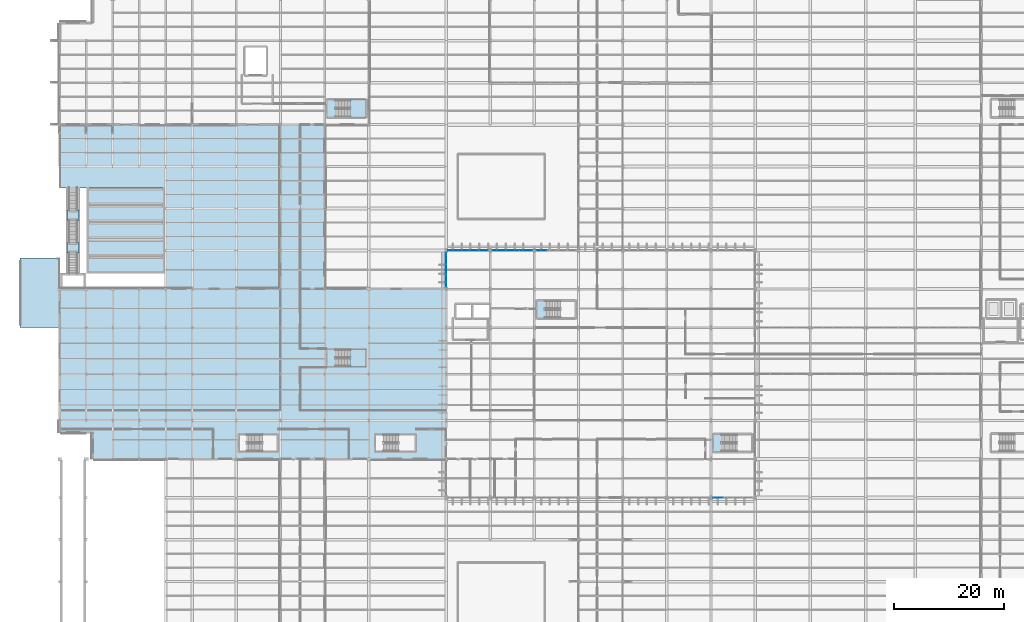
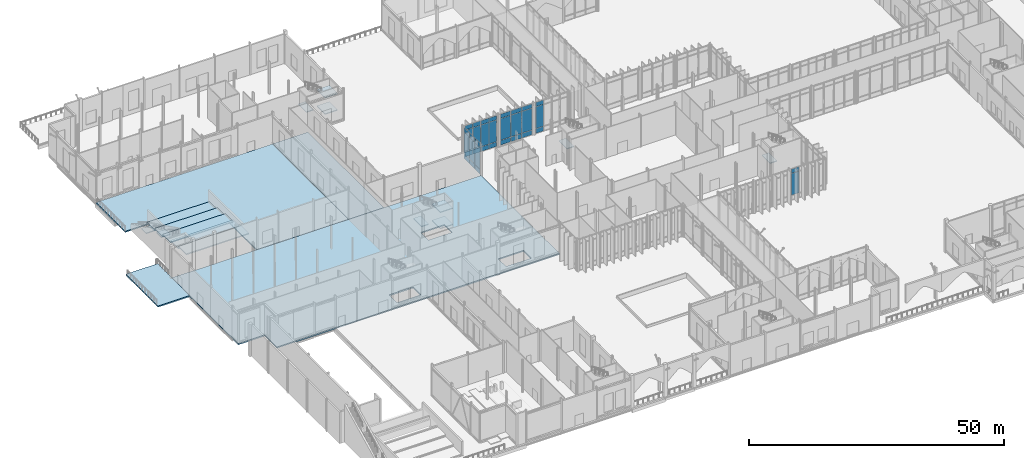
# One storey, part 119 of 176: 35 plates, 19 slabs, 10 elements without a shape of their own.
"""IFC4 building model written with IfcOpenShell, lengths in metres."""

from ifc_helpers import new_model, si_unit, direction, frame, origin, origin_2d, place, context, subcontext, project, spatial, polyline, rectangle, outline, extrude, material, layer, layer_set, type_object, element, aggregate, save


model = new_model("IFC4")

# Units and contexts
model_context = context("Model", 3, precision=1e-05, world=origin(), true_north=direction((0.0, 1.0)))
body_context = subcontext(model_context, "Body", "Model", "MODEL_VIEW")
ifc_project = project(units=[si_unit("LENGTHUNIT", "METRE"), si_unit("AREAUNIT", "SQUARE_METRE"), si_unit("VOLUMEUNIT", "CUBIC_METRE"), si_unit("PLANEANGLEUNIT", "RADIAN"), si_unit("MASSUNIT", "GRAM", prefix="KILO")], contexts=[model_context])

# Site, building, storey
site_placement = place(None, origin())
site = spatial("IfcSite", under=ifc_project, at=site_placement, CompositionType="ELEMENT")
building_placement = place(site_placement, origin())
building = spatial("IfcBuilding", under=site, at=building_placement, Name="Vekula Escarpment Museum", CompositionType="ELEMENT")
storey_placement = place(building_placement, origin())
storey = spatial("IfcBuildingStorey", under=building, at=storey_placement, Name="L01", CompositionType="ELEMENT", Elevation=0.0)

# Curtain wall, plates
ifc_material_1 = material(Name="Aluminium thermally broken framing", Category="aluminium")
ifc_layer_1 = layer(ifc_material_1, 0.169921875)
ifc_layer_set_1 = layer_set([ifc_layer_1], Name="Aluminium thermally broken framing")
curtain_wall_type_1 = type_object("IfcCurtainWallType", Name="CW-SYS-10", PredefinedType="NOTDEFINED", material=ifc_layer_set_1)
curtain_wall_1_placement = place(storey_placement, origin())
curtain_wall_1 = element("IfcCurtainWall", 1, at=curtain_wall_1_placement, inside=storey, type_object=curtain_wall_type_1, Name="Curtain Wall CW-L01-040", PredefinedType="NOTDEFINED")
ifc_material_2 = material(Name="Double solar-control low-E glass", Category="glass")
ifc_layer_2 = layer(ifc_material_2, 0.028076171875)
ifc_layer_set_2 = layer_set([ifc_layer_2], Name="Double solar-control low-E glass")
plate_type_1 = type_object("IfcPlateType", Name="CW-PNL-28", PredefinedType="CURTAIN_PANEL", material=ifc_layer_set_2)
plate_1_placement = place(storey_placement, frame((84.410400390625, 90.39990234375, 0.06494140625), z_axis=(0.0, 0.0, 1.0), x_axis=(-1.0, 0.0, 0.0)))
plate_1 = element("IfcPlate", 2, at=plate_1_placement, type_object=plate_type_1, Name="CW-10 panel 1.1", PredefinedType="CURTAIN_PANEL", context=body_context, shape_type="SweptSolid", body=[
    extrude(rectangle(XDim=2.3291015625, YDim=0.028076171875, at=origin_2d()), origin(), (0.0, 0.0, 1.0), 1.1025390625),
])
plate_2_placement = place(storey_placement, frame((84.410400390625, 90.39990234375, 1.232421875), z_axis=(0.0, 0.0, 1.0), x_axis=(-1.0, 0.0, 0.0)))
plate_2 = element("IfcPlate", 3, at=plate_2_placement, type_object=plate_type_1, Name="CW-10 panel 1.2", PredefinedType="CURTAIN_PANEL", context=body_context, shape_type="SweptSolid", body=[
    extrude(rectangle(XDim=2.3291015625, YDim=0.028076171875, at=origin_2d()), origin(), (0.0, 0.0, 1.0), 5.175048828125),
])
plate_3_placement = place(storey_placement, frame((84.410400390625, 90.39990234375, 6.472412109375), z_axis=(0.0, 0.0, 1.0), x_axis=(-1.0, 0.0, 0.0)))
plate_3 = element("IfcPlate", 4, at=plate_3_placement, type_object=plate_type_1, Name="CW-10 panel 1.3", PredefinedType="CURTAIN_PANEL", context=body_context, shape_type="SweptSolid", body=[
    extrude(rectangle(XDim=2.3291015625, YDim=0.028076171875, at=origin_2d()), origin(), (0.0, 0.0, 1.0), 1.00244140625),
])
plate_4_placement = place(storey_placement, frame((82.0, 90.39990234375, 0.06494140625), z_axis=(0.0, 0.0, 1.0), x_axis=(-1.0, 0.0, 0.0)))
plate_4 = element("IfcPlate", 5, at=plate_4_placement, type_object=plate_type_1, Name="CW-10 panel 2.1", PredefinedType="CURTAIN_PANEL", context=body_context, shape_type="SweptSolid", body=[
    extrude(rectangle(XDim=2.361572265625, YDim=0.028076171875, at=origin_2d()), origin(), (0.0, 0.0, 1.0), 1.1025390625),
])
plate_5_placement = place(storey_placement, frame((82.0, 90.39990234375, 1.232421875), z_axis=(0.0, 0.0, 1.0), x_axis=(-1.0, 0.0, 0.0)))
plate_5 = element("IfcPlate", 6, at=plate_5_placement, type_object=plate_type_1, Name="CW-10 panel 2.2", PredefinedType="CURTAIN_PANEL", context=body_context, shape_type="SweptSolid", body=[
    extrude(rectangle(XDim=2.361572265625, YDim=0.028076171875, at=origin_2d()), origin(), (0.0, 0.0, 1.0), 5.175048828125),
])
plate_6_placement = place(storey_placement, frame((82.0, 90.39990234375, 6.472412109375), z_axis=(0.0, 0.0, 1.0), x_axis=(-1.0, 0.0, 0.0)))
plate_6 = element("IfcPlate", 7, at=plate_6_placement, type_object=plate_type_1, Name="CW-10 panel 2.3", PredefinedType="CURTAIN_PANEL", context=body_context, shape_type="SweptSolid", body=[
    extrude(rectangle(XDim=2.361572265625, YDim=0.028076171875, at=origin_2d()), origin(), (0.0, 0.0, 1.0), 1.00244140625),
])
plate_7_placement = place(storey_placement, frame((79.589599609375, 90.39990234375, 0.06494140625), z_axis=(0.0, 0.0, 1.0), x_axis=(-1.0, 0.0, 0.0)))
plate_7 = element("IfcPlate", 8, at=plate_7_placement, type_object=plate_type_1, Name="CW-10 panel 3.1", PredefinedType="CURTAIN_PANEL", context=body_context, shape_type="SweptSolid", body=[
    extrude(rectangle(XDim=2.3291015625, YDim=0.028076171875, at=origin_2d()), origin(), (0.0, 0.0, 1.0), 1.1025390625),
])
plate_8_placement = place(storey_placement, frame((79.589599609375, 90.39990234375, 1.232421875), z_axis=(0.0, 0.0, 1.0), x_axis=(-1.0, 0.0, 0.0)))
plate_8 = element("IfcPlate", 9, at=plate_8_placement, type_object=plate_type_1, Name="CW-10 panel 3.2", PredefinedType="CURTAIN_PANEL", context=body_context, shape_type="SweptSolid", body=[
    extrude(rectangle(XDim=2.3291015625, YDim=0.028076171875, at=origin_2d()), origin(), (0.0, 0.0, 1.0), 5.175048828125),
])
plate_9_placement = place(storey_placement, frame((79.589599609375, 90.39990234375, 6.472412109375), z_axis=(0.0, 0.0, 1.0), x_axis=(-1.0, 0.0, 0.0)))
plate_9 = element("IfcPlate", 10, at=plate_9_placement, type_object=plate_type_1, Name="CW-10 panel 3.3", PredefinedType="CURTAIN_PANEL", context=body_context, shape_type="SweptSolid", body=[
    extrude(rectangle(XDim=2.3291015625, YDim=0.028076171875, at=origin_2d()), origin(), (0.0, 0.0, 1.0), 1.00244140625),
])
aggregate(curtain_wall_1, [plate_1, plate_2, plate_3, plate_4, plate_5, plate_6, plate_7, plate_8, plate_9])

ifc_material_3 = material(Name="Aluminium thermally broken framing", Category="aluminium")
ifc_layer_3 = layer(ifc_material_3, 0.14990234375)
ifc_layer_set_3 = layer_set([ifc_layer_3], Name="Aluminium thermally broken framing")
curtain_wall_type_2 = type_object("IfcCurtainWallType", Name="CW-SYS-09", PredefinedType="NOTDEFINED", material=ifc_layer_set_3)
curtain_wall_2_placement = place(storey_placement, origin())
curtain_wall_2 = element("IfcCurtainWall", 11, at=curtain_wall_2_placement, inside=storey, type_object=curtain_wall_type_2, Name="Curtain Wall CW-L01-009", PredefinedType="NOTDEFINED")
ifc_material_4 = material(Name="Acoustic laminated double low-E glass", Category="glass")
ifc_layer_4 = layer(ifc_material_4, 0.031982421875)
ifc_layer_set_4 = layer_set([ifc_layer_4], Name="Acoustic laminated double low-E glass")
plate_type_2 = type_object("IfcPlateType", Name="CW-PNL-32", PredefinedType="CURTAIN_PANEL", material=ifc_layer_set_4)
plate_10_placement = place(storey_placement, frame((119.2861328125, 45.60009765625, 1.232421875), z_axis=(0.0, 0.0, 1.0), x_axis=(1.0, 0.0, 0.0)))
plate_10 = element("IfcPlate", 12, at=plate_10_placement, type_object=plate_type_2, Name="CW-09 panel 1.2", PredefinedType="CURTAIN_PANEL", context=body_context, shape_type="SweptSolid", body=[
    extrude(rectangle(XDim=1.722412109375, YDim=0.031982421875, at=origin_2d()), origin(), (0.0, 0.0, 1.0), 5.175048828125),
])
plate_11_placement = place(storey_placement, frame((119.2861328125, 45.60009765625, 6.472412109375), z_axis=(0.0, 0.0, 1.0), x_axis=(1.0, 0.0, 0.0)))
plate_11 = element("IfcPlate", 13, at=plate_11_placement, type_object=plate_type_2, Name="CW-09 panel 1.3", PredefinedType="CURTAIN_PANEL", context=body_context, shape_type="SweptSolid", body=[
    extrude(rectangle(XDim=1.722412109375, YDim=0.031982421875, at=origin_2d()), origin(), (0.0, 0.0, 1.0), 1.00244140625),
])
aggregate(curtain_wall_2, [plate_10, plate_11])

ifc_material_5 = material(Name="Aluminium thermally broken framing", Category="aluminium")
ifc_layer_5 = layer(ifc_material_5, 0.159912109375)
ifc_layer_set_5 = layer_set([ifc_layer_5], Name="Aluminium thermally broken framing")
curtain_wall_type_3 = type_object("IfcCurtainWallType", Name="CW-SYS-01", PredefinedType="NOTDEFINED", material=ifc_layer_set_5)
curtain_wall_3_placement = place(storey_placement, origin())
curtain_wall_3 = element("IfcCurtainWall", 14, at=curtain_wall_3_placement, inside=storey, type_object=curtain_wall_type_3, Name="Curtain Wall CW-L01-041", PredefinedType="NOTDEFINED")
plate_12_placement = place(storey_placement, frame((76.7138671875, 90.39990234375, 0.06494140625), z_axis=(0.0, 0.0, 1.0), x_axis=(-1.0, 0.0, 0.0)))
plate_12 = element("IfcPlate", 15, at=plate_12_placement, type_object=plate_type_2, Name="CW-01 panel 1.1", PredefinedType="CURTAIN_PANEL", context=body_context, shape_type="SweptSolid", body=[
    extrude(rectangle(XDim=1.722412109375, YDim=0.031982421875, at=origin_2d()), origin(), (0.0, 0.0, 1.0), 1.1025390625),
])
plate_13_placement = place(storey_placement, frame((76.7138671875, 90.39990234375, 1.232421875), z_axis=(0.0, 0.0, 1.0), x_axis=(-1.0, 0.0, 0.0)))
plate_13 = element("IfcPlate", 16, at=plate_13_placement, type_object=plate_type_2, Name="CW-01 panel 1.2", PredefinedType="CURTAIN_PANEL", context=body_context, shape_type="SweptSolid", body=[
    extrude(rectangle(XDim=1.722412109375, YDim=0.031982421875, at=origin_2d()), origin(), (0.0, 0.0, 1.0), 5.175048828125),
])
plate_14_placement = place(storey_placement, frame((76.7138671875, 90.39990234375, 6.472412109375), z_axis=(0.0, 0.0, 1.0), x_axis=(-1.0, 0.0, 0.0)))
plate_14 = element("IfcPlate", 17, at=plate_14_placement, type_object=plate_type_2, Name="CW-01 panel 1.3", PredefinedType="CURTAIN_PANEL", context=body_context, shape_type="SweptSolid", body=[
    extrude(rectangle(XDim=1.722412109375, YDim=0.031982421875, at=origin_2d()), origin(), (0.0, 0.0, 1.0), 1.00244140625),
])
plate_15_placement = place(storey_placement, frame((74.909912109375, 90.39990234375, 0.06494140625), z_axis=(0.0, 0.0, 1.0), x_axis=(-1.0, 0.0, 0.0)))
plate_15 = element("IfcPlate", 18, at=plate_15_placement, type_object=plate_type_2, Name="CW-01 panel 2.1", PredefinedType="CURTAIN_PANEL", context=body_context, shape_type="SweptSolid", body=[
    extrude(rectangle(XDim=1.7548828125, YDim=0.031982421875, at=origin_2d()), origin(), (0.0, 0.0, 1.0), 1.1025390625),
])
plate_16_placement = place(storey_placement, frame((74.909912109375, 90.39990234375, 1.232421875), z_axis=(0.0, 0.0, 1.0), x_axis=(-1.0, 0.0, 0.0)))
plate_16 = element("IfcPlate", 19, at=plate_16_placement, type_object=plate_type_2, Name="CW-01 panel 2.2", PredefinedType="CURTAIN_PANEL", context=body_context, shape_type="SweptSolid", body=[
    extrude(rectangle(XDim=1.7548828125, YDim=0.031982421875, at=origin_2d()), origin(), (0.0, 0.0, 1.0), 5.175048828125),
])
plate_17_placement = place(storey_placement, frame((74.909912109375, 90.39990234375, 6.472412109375), z_axis=(0.0, 0.0, 1.0), x_axis=(-1.0, 0.0, 0.0)))
plate_17 = element("IfcPlate", 20, at=plate_17_placement, type_object=plate_type_2, Name="CW-01 panel 2.3", PredefinedType="CURTAIN_PANEL", context=body_context, shape_type="SweptSolid", body=[
    extrude(rectangle(XDim=1.7548828125, YDim=0.031982421875, at=origin_2d()), origin(), (0.0, 0.0, 1.0), 1.00244140625),
])
plate_18_placement = place(storey_placement, frame((73.090087890625, 90.39990234375, 0.06494140625), z_axis=(0.0, 0.0, 1.0), x_axis=(-1.0, 0.0, 0.0)))
plate_18 = element("IfcPlate", 21, at=plate_18_placement, type_object=plate_type_2, Name="CW-01 panel 3.1", PredefinedType="CURTAIN_PANEL", context=body_context, shape_type="SweptSolid", body=[
    extrude(rectangle(XDim=1.7548828125, YDim=0.031982421875, at=origin_2d()), origin(), (0.0, 0.0, 1.0), 1.1025390625),
])
plate_19_placement = place(storey_placement, frame((73.090087890625, 90.39990234375, 1.232421875), z_axis=(0.0, 0.0, 1.0), x_axis=(-1.0, 0.0, 0.0)))
plate_19 = element("IfcPlate", 22, at=plate_19_placement, type_object=plate_type_2, Name="CW-01 panel 3.2", PredefinedType="CURTAIN_PANEL", context=body_context, shape_type="SweptSolid", body=[
    extrude(rectangle(XDim=1.7548828125, YDim=0.031982421875, at=origin_2d()), origin(), (0.0, 0.0, 1.0), 5.175048828125),
])
plate_20_placement = place(storey_placement, frame((73.090087890625, 90.39990234375, 6.472412109375), z_axis=(0.0, 0.0, 1.0), x_axis=(-1.0, 0.0, 0.0)))
plate_20 = element("IfcPlate", 23, at=plate_20_placement, type_object=plate_type_2, Name="CW-01 panel 3.3", PredefinedType="CURTAIN_PANEL", context=body_context, shape_type="SweptSolid", body=[
    extrude(rectangle(XDim=1.7548828125, YDim=0.031982421875, at=origin_2d()), origin(), (0.0, 0.0, 1.0), 1.00244140625),
])
plate_21_placement = place(storey_placement, frame((71.2861328125, 90.39990234375, 0.06494140625), z_axis=(0.0, 0.0, 1.0), x_axis=(-1.0, 0.0, 0.0)))
plate_21 = element("IfcPlate", 24, at=plate_21_placement, type_object=plate_type_2, Name="CW-01 panel 4.1", PredefinedType="CURTAIN_PANEL", context=body_context, shape_type="SweptSolid", body=[
    extrude(rectangle(XDim=1.722412109375, YDim=0.031982421875, at=origin_2d()), origin(), (0.0, 0.0, 1.0), 1.1025390625),
])
plate_22_placement = place(storey_placement, frame((71.2861328125, 90.39990234375, 1.232421875), z_axis=(0.0, 0.0, 1.0), x_axis=(-1.0, 0.0, 0.0)))
plate_22 = element("IfcPlate", 25, at=plate_22_placement, type_object=plate_type_2, Name="CW-01 panel 4.2", PredefinedType="CURTAIN_PANEL", context=body_context, shape_type="SweptSolid", body=[
    extrude(rectangle(XDim=1.722412109375, YDim=0.031982421875, at=origin_2d()), origin(), (0.0, 0.0, 1.0), 5.175048828125),
])
plate_23_placement = place(storey_placement, frame((71.2861328125, 90.39990234375, 6.472412109375), z_axis=(0.0, 0.0, 1.0), x_axis=(-1.0, 0.0, 0.0)))
plate_23 = element("IfcPlate", 26, at=plate_23_placement, type_object=plate_type_2, Name="CW-01 panel 4.3", PredefinedType="CURTAIN_PANEL", context=body_context, shape_type="SweptSolid", body=[
    extrude(rectangle(XDim=1.722412109375, YDim=0.031982421875, at=origin_2d()), origin(), (0.0, 0.0, 1.0), 1.00244140625),
])
aggregate(curtain_wall_3, [plate_12, plate_13, plate_14, plate_15, plate_16, plate_17, plate_18, plate_19, plate_20, plate_21, plate_22, plate_23])

ifc_material_6 = material(Name="Aluminium thermally broken framing", Category="aluminium")
ifc_layer_6 = layer(ifc_material_6, 0.159912109375)
ifc_layer_set_6 = layer_set([ifc_layer_6], Name="Aluminium thermally broken framing")
curtain_wall_type_4 = type_object("IfcCurtainWallType", Name="CW-SYS-02", PredefinedType="NOTDEFINED", material=ifc_layer_set_6)
curtain_wall_4_placement = place(storey_placement, origin())
curtain_wall_4 = element("IfcCurtainWall", 27, at=curtain_wall_4_placement, inside=storey, type_object=curtain_wall_type_4, Name="Curtain Wall CW-L01-042", PredefinedType="NOTDEFINED")
ifc_material_7 = material(Name="Triple UV-filtered museum gallery glass", Category="glass")
ifc_layer_7 = layer(ifc_material_7, 0.035888671875)
ifc_layer_set_7 = layer_set([ifc_layer_7], Name="Triple UV-filtered museum gallery glass")
plate_type_3 = type_object("IfcPlateType", Name="CW-PNL-36", PredefinedType="CURTAIN_PANEL", material=ifc_layer_set_7)
plate_24_placement = place(storey_placement, frame((70.0, 88.97705078125, 0.06494140625), z_axis=(0.0, 0.0, 1.0), x_axis=(0.0, -1.0, 0.0)))
plate_24 = element("IfcPlate", 28, at=plate_24_placement, type_object=plate_type_3, Name="CW-02 panel 1.1", PredefinedType="CURTAIN_PANEL", context=body_context, shape_type="SweptSolid", body=[
    extrude(rectangle(XDim=1.995849609375, YDim=0.035888671875, at=origin_2d()), origin(), (0.0, 0.0, 1.0), 1.1025390625),
])
plate_25_placement = place(storey_placement, frame((70.0, 88.97705078125, 1.232421875), z_axis=(0.0, 0.0, 1.0), x_axis=(0.0, -1.0, 0.0)))
plate_25 = element("IfcPlate", 29, at=plate_25_placement, type_object=plate_type_3, Name="CW-02 panel 1.2", PredefinedType="CURTAIN_PANEL", context=body_context, shape_type="SweptSolid", body=[
    extrude(rectangle(XDim=1.995849609375, YDim=0.035888671875, at=origin_2d()), origin(), (0.0, 0.0, 1.0), 5.175048828125),
])
plate_26_placement = place(storey_placement, frame((70.0, 88.97705078125, 6.472412109375), z_axis=(0.0, 0.0, 1.0), x_axis=(0.0, -1.0, 0.0)))
plate_26 = element("IfcPlate", 30, at=plate_26_placement, type_object=plate_type_3, Name="CW-02 panel 1.3", PredefinedType="CURTAIN_PANEL", context=body_context, shape_type="SweptSolid", body=[
    extrude(rectangle(XDim=1.995849609375, YDim=0.035888671875, at=origin_2d()), origin(), (0.0, 0.0, 1.0), 1.00244140625),
])
plate_27_placement = place(storey_placement, frame((70.0, 86.89990234375, 0.06494140625), z_axis=(0.0, 0.0, 1.0), x_axis=(0.0, -1.0, 0.0)))
plate_27 = element("IfcPlate", 31, at=plate_27_placement, type_object=plate_type_3, Name="CW-02 panel 2.1", PredefinedType="CURTAIN_PANEL", context=body_context, shape_type="SweptSolid", body=[
    extrude(rectangle(XDim=2.0283203125, YDim=0.035888671875, at=origin_2d()), origin(), (0.0, 0.0, 1.0), 1.1025390625),
])
plate_28_placement = place(storey_placement, frame((70.0, 86.89990234375, 1.232421875), z_axis=(0.0, 0.0, 1.0), x_axis=(0.0, -1.0, 0.0)))
plate_28 = element("IfcPlate", 32, at=plate_28_placement, type_object=plate_type_3, Name="CW-02 panel 2.2", PredefinedType="CURTAIN_PANEL", context=body_context, shape_type="SweptSolid", body=[
    extrude(rectangle(XDim=2.0283203125, YDim=0.035888671875, at=origin_2d()), origin(), (0.0, 0.0, 1.0), 5.175048828125),
])
plate_29_placement = place(storey_placement, frame((70.0, 86.89990234375, 6.472412109375), z_axis=(0.0, 0.0, 1.0), x_axis=(0.0, -1.0, 0.0)))
plate_29 = element("IfcPlate", 33, at=plate_29_placement, type_object=plate_type_3, Name="CW-02 panel 2.3", PredefinedType="CURTAIN_PANEL", context=body_context, shape_type="SweptSolid", body=[
    extrude(rectangle(XDim=2.0283203125, YDim=0.035888671875, at=origin_2d()), origin(), (0.0, 0.0, 1.0), 1.00244140625),
])
plate_30_placement = place(storey_placement, frame((70.0, 84.822998046875, 0.06494140625), z_axis=(0.0, 0.0, 1.0), x_axis=(0.0, -1.0, 0.0)))
plate_30 = element("IfcPlate", 34, at=plate_30_placement, type_object=plate_type_3, Name="CW-02 panel 3.1", PredefinedType="CURTAIN_PANEL", context=body_context, shape_type="SweptSolid", body=[
    extrude(rectangle(XDim=1.995849609375, YDim=0.035888671875, at=origin_2d()), origin(), (0.0, 0.0, 1.0), 1.1025390625),
])
plate_31_placement = place(storey_placement, frame((70.0, 84.822998046875, 1.232421875), z_axis=(0.0, 0.0, 1.0), x_axis=(0.0, -1.0, 0.0)))
plate_31 = element("IfcPlate", 35, at=plate_31_placement, type_object=plate_type_3, Name="CW-02 panel 3.2", PredefinedType="CURTAIN_PANEL", context=body_context, shape_type="SweptSolid", body=[
    extrude(rectangle(XDim=1.995849609375, YDim=0.035888671875, at=origin_2d()), origin(), (0.0, 0.0, 1.0), 5.175048828125),
])
plate_32_placement = place(storey_placement, frame((70.0, 84.822998046875, 6.472412109375), z_axis=(0.0, 0.0, 1.0), x_axis=(0.0, -1.0, 0.0)))
plate_32 = element("IfcPlate", 36, at=plate_32_placement, type_object=plate_type_3, Name="CW-02 panel 3.3", PredefinedType="CURTAIN_PANEL", context=body_context, shape_type="SweptSolid", body=[
    extrude(rectangle(XDim=1.995849609375, YDim=0.035888671875, at=origin_2d()), origin(), (0.0, 0.0, 1.0), 1.00244140625),
])
aggregate(curtain_wall_4, [plate_24, plate_25, plate_26, plate_27, plate_28, plate_29, plate_30, plate_31, plate_32])

curtain_wall_5_placement = place(storey_placement, origin())
curtain_wall_5 = element("IfcCurtainWall", 37, at=curtain_wall_5_placement, inside=storey, type_object=curtain_wall_type_2, Name="Curtain Wall CW-L01-039", PredefinedType="NOTDEFINED")
ifc_material_8 = material(Name="Insulated bronze spandrel glass panel", Category="glass")
ifc_layer_8 = layer(ifc_material_8, 0.0400390625)
ifc_layer_set_8 = layer_set([ifc_layer_8], Name="Insulated bronze spandrel glass panel")
plate_type_4 = type_object("IfcPlateType", Name="CW-PNL-40", PredefinedType="CURTAIN_PANEL", material=ifc_layer_set_8)
plate_33_placement = place(storey_placement, frame((87.2861328125, 90.39990234375, 0.06494140625), z_axis=(0.0, 0.0, 1.0), x_axis=(-1.0, 0.0, 0.0)))
plate_33 = element("IfcPlate", 38, at=plate_33_placement, type_object=plate_type_4, Name="CW-09 panel 4.1", PredefinedType="CURTAIN_PANEL", context=body_context, shape_type="SweptSolid", body=[
    extrude(rectangle(XDim=1.722412109375, YDim=0.0400390625, at=origin_2d()), origin(), (0.0, 0.0, 1.0), 1.1025390625),
])
plate_34_placement = place(storey_placement, frame((87.2861328125, 90.39990234375, 1.232421875), z_axis=(0.0, 0.0, 1.0), x_axis=(-1.0, 0.0, 0.0)))
plate_34 = element("IfcPlate", 39, at=plate_34_placement, type_object=plate_type_4, Name="CW-09 panel 4.2", PredefinedType="CURTAIN_PANEL", context=body_context, shape_type="SweptSolid", body=[
    extrude(rectangle(XDim=1.722412109375, YDim=0.0400390625, at=origin_2d()), origin(), (0.0, 0.0, 1.0), 5.175048828125),
])
plate_35_placement = place(storey_placement, frame((87.2861328125, 90.39990234375, 6.472412109375), z_axis=(0.0, 0.0, 1.0), x_axis=(-1.0, 0.0, 0.0)))
plate_35 = element("IfcPlate", 40, at=plate_35_placement, type_object=plate_type_4, Name="CW-09 panel 4.3", PredefinedType="CURTAIN_PANEL", context=body_context, shape_type="SweptSolid", body=[
    extrude(rectangle(XDim=1.722412109375, YDim=0.0400390625, at=origin_2d()), origin(), (0.0, 0.0, 1.0), 1.00244140625),
])
aggregate(curtain_wall_5, [plate_33, plate_34, plate_35])

# Slabs
ifc_material_9 = material(Name="Precast concrete C40/50", Category="concrete")
ifc_layer_9 = layer(ifc_material_9, 0.25)
ifc_layer_set_9 = layer_set([ifc_layer_9], Name="Precast concrete C40/50")
slab_type_1 = type_object("IfcSlabType", Name="SL-AMP-SEAT", PredefinedType="FLOOR", material=ifc_layer_set_9)
slab_1_placement = place(storey_placement, frame((0.0, 0.0, 0.199951171875)))
element("IfcSlab", 41, at=slab_1_placement, inside=storey, type_object=slab_type_1, Name="Stepped Sandstone Plinth Ledge AMP-SEAT-06", PredefinedType="FLOOR", context=body_context, shape_type="SweptSolid", body=[
    extrude(outline(polyline([(4.89990234375, 98.64990234375), (19.10009765625, 98.64990234375), (19.10009765625, 101.75), (4.89990234375, 101.75), (4.89990234375, 98.64990234375)])), origin(), (0.0, 0.0, 1.0), 0.25),
])
slab_2_placement = place(storey_placement, frame((0.0, 0.0, 0.64990234375)))
element("IfcSlab", 42, at=slab_2_placement, inside=storey, type_object=slab_type_1, Name="Stepped Sandstone Plinth Ledge AMP-SEAT-07", PredefinedType="FLOOR", context=body_context, shape_type="SweptSolid", body=[
    extrude(outline(polyline([(4.89990234375, 95.550048828125), (19.10009765625, 95.550048828125), (19.10009765625, 98.6201171875), (4.89990234375, 98.6201171875), (4.89990234375, 95.550048828125)])), origin(), (0.0, 0.0, 1.0), 0.25),
])
slab_3_placement = place(storey_placement, frame((0.0, 0.0, 1.10009765625)))
element("IfcSlab", 43, at=slab_3_placement, inside=storey, type_object=slab_type_1, Name="Stepped Sandstone Plinth Ledge AMP-SEAT-08", PredefinedType="FLOOR", context=body_context, shape_type="SweptSolid", body=[
    extrude(outline(polyline([(4.89990234375, 92.449951171875), (19.10009765625, 92.449951171875), (19.10009765625, 95.52001953125), (4.89990234375, 95.52001953125), (4.89990234375, 92.449951171875)])), origin(), (0.0, 0.0, 1.0), 0.25),
])
slab_4_placement = place(storey_placement, frame((0.0, 0.0, 1.550048828125)))
element("IfcSlab", 44, at=slab_4_placement, inside=storey, type_object=slab_type_1, Name="Stepped Sandstone Plinth Ledge AMP-SEAT-09", PredefinedType="FLOOR", context=body_context, shape_type="SweptSolid", body=[
    extrude(outline(polyline([(4.89990234375, 89.35009765625), (19.10009765625, 89.35009765625), (19.10009765625, 92.419921875), (4.89990234375, 92.419921875), (4.89990234375, 89.35009765625)])), origin(), (0.0, 0.0, 1.0), 0.25),
])
slab_5_placement = place(storey_placement, frame((0.0, 0.0, 2.0)))
element("IfcSlab", 45, at=slab_5_placement, inside=storey, type_object=slab_type_1, Name="Stepped Sandstone Plinth Ledge AMP-SEAT-10", PredefinedType="FLOOR", context=body_context, shape_type="SweptSolid", body=[
    extrude(outline(polyline([(4.89990234375, 86.25), (19.10009765625, 86.25), (19.10009765625, 89.320068359375), (4.89990234375, 89.320068359375), (4.89990234375, 86.25)])), origin(), (0.0, 0.0, 1.0), 0.25),
])
ifc_material_10 = material(Name="Concrete C35/45", Category="concrete")
ifc_layer_10 = layer(ifc_material_10, 0.300048828125)
ifc_layer_set_10 = layer_set([ifc_layer_10], Name="Concrete C35/45")
slab_type_2 = type_object("IfcSlabType", Name="SL-FLR-300", PredefinedType="FLOOR", material=ifc_layer_set_10)
slab_6_placement = place(storey_placement, frame((0.0, 0.0, -0.300048828125)))
element("IfcSlab", 46, at=slab_6_placement, inside=storey, type_object=slab_type_2, Name="Floor Slab W-L01-V2-W", PredefinedType="FLOOR", context=body_context, shape_type="SweptSolid", body=[
    extrude(outline(polyline([(6.0, 52.60009765625), (70.0, 52.60009765625), (70.0, 83.39990234375), (0.0, 83.39990234375), (0.0, 57.39990234375), (6.0, 57.39990234375), (6.0, 52.60009765625)]), holes=[polyline([(58.679931640625, 54.0), (64.39990234375, 54.0), (64.39990234375, 57.0400390625), (58.679931640625, 57.0400390625), (58.679931640625, 54.0)]), polyline([(33.97998046875, 54.0), (39.39990234375, 54.0), (39.39990234375, 57.0400390625), (33.97998046875, 57.0400390625), (33.97998046875, 54.0)]), polyline([(49.97998046875, 69.39990234375), (55.39990234375, 69.39990234375), (55.39990234375, 72.43994140625), (49.97998046875, 72.43994140625), (49.97998046875, 69.39990234375)])]), origin(), (0.0, 0.0, 1.0), 0.300048828125),
])
ifc_material_11 = material(Name="Concrete C35/45", Category="concrete")
ifc_layer_11 = layer(ifc_material_11, 0.320068359375)
ifc_layer_set_11 = layer_set([ifc_layer_11], Name="Concrete C35/45")
slab_type_3 = type_object("IfcSlabType", Name="SL-FLR-320", PredefinedType="FLOOR", material=ifc_layer_set_11)
slab_7_placement = place(storey_placement, frame((0.0, 0.0, -0.320068359375)))
element("IfcSlab", 47, at=slab_7_placement, inside=storey, type_object=slab_type_3, Name="Floor Slab W-L01-V5-LNK", PredefinedType="FLOOR", context=body_context, shape_type="SweptSolid", body=[
    extrude(outline(polyline([(40.0, 83.39990234375), (48.0, 83.39990234375), (48.0, 113.199951171875), (40.0, 113.199951171875), (40.0, 83.39990234375)])), origin(), (0.0, 0.0, 1.0), 0.320068359375),
])

# Stair, slabs
ifc_material_12 = material(Name="Precast concrete C40/50", Category="concrete")
stair_type_1 = type_object("IfcStairType", Name="STR-AMP-165", PredefinedType="STRAIGHT_RUN_STAIR", material=ifc_material_12)
stair_1_placement = place(storey_placement, origin())
stair_1 = element("IfcStair", 48, at=stair_1_placement, inside=storey, type_object=stair_type_1, Name="North Escarpment Plinth Stair Tier 1 ST-AMP-N1", PredefinedType="STRAIGHT_RUN_STAIR")
ifc_material_13 = material(Name="Concrete C35/45", Category="concrete")
ifc_layer_12 = layer(ifc_material_13, 0.199951171875)
ifc_layer_set_12 = layer_set([ifc_layer_12], Name="Concrete C35/45")
slab_type_4 = type_object("IfcSlabType", Name="SL-LAND-200", PredefinedType="LANDING", material=ifc_layer_set_12)
slab_8_placement = place(storey_placement, frame((0.0, 0.0, 2.458984375)))
slab_8 = element("IfcSlab", 49, at=slab_8_placement, type_object=slab_type_4, Name="ST-AMP-N1 landing 1", PredefinedType="LANDING", context=body_context, shape_type="SweptSolid", body=[
    extrude(outline(polyline([(1.35009765625, 95.840087890625), (3.449951171875, 95.840087890625), (3.449951171875, 97.77001953125), (1.35009765625, 97.77001953125), (1.35009765625, 95.840087890625)])), origin(), (0.0, 0.0, 1.0), 0.2001953125),
])
slab_9_placement = place(storey_placement, frame((0.0, 0.0, 5.1181640625)))
slab_9 = element("IfcSlab", 50, at=slab_9_placement, type_object=slab_type_4, Name="ST-AMP-N1 landing 2", PredefinedType="LANDING", context=body_context, shape_type="SweptSolid", body=[
    extrude(outline(polyline([(1.35009765625, 89.929931640625), (3.449951171875, 89.929931640625), (3.449951171875, 91.860107421875), (1.35009765625, 91.860107421875), (1.35009765625, 89.929931640625)])), origin(), (0.0, 0.0, 1.0), 0.199951171875),
])
aggregate(stair_1, [slab_8, slab_9])

ifc_material_14 = material(Name="Concrete C35/45", Category="concrete")
stair_type_2 = type_object("IfcStairType", Name="STR-TYPE-142", PredefinedType="HALF_TURN_STAIR", material=ifc_material_14)
stair_2_placement = place(storey_placement, origin())
stair_2 = element("IfcStair", 51, at=stair_2_placement, inside=storey, type_object=stair_type_2, Name="L01 Archive and Lab Exit Stair ST-03", PredefinedType="HALF_TURN_STAIR")
slab_10_placement = place(storey_placement, frame((0.0, 0.0, 1.75)))
slab_10 = element("IfcSlab", 52, at=slab_10_placement, type_object=slab_type_4, Name="ST-03 landing 1", PredefinedType="LANDING", context=body_context, shape_type="SweptSolid", body=[
    extrude(outline(polyline([(52.6298828125, 114.510009765625), (55.489990234375, 114.510009765625), (55.489990234375, 117.72998046875), (52.6298828125, 117.72998046875), (52.6298828125, 114.510009765625)])), origin(), (0.0, 0.0, 1.0), 0.199951171875),
])
slab_11_placement = place(storey_placement, frame((0.0, 0.0, 3.699951171875)))
slab_11 = element("IfcSlab", 53, at=slab_11_placement, type_object=slab_type_4, Name="ST-03 landing 2", PredefinedType="LANDING", context=body_context, shape_type="SweptSolid", body=[
    extrude(outline(polyline([(48.409912109375, 114.510009765625), (50.010009765625, 114.510009765625), (50.010009765625, 117.72998046875), (48.409912109375, 117.72998046875), (48.409912109375, 114.510009765625)])), origin(), (0.0, 0.0, 1.0), 0.199951171875),
])
slab_12_placement = place(storey_placement, frame((0.0, 0.0, 5.64990234375)))
slab_12 = element("IfcSlab", 54, at=slab_12_placement, type_object=slab_type_4, Name="ST-03 landing 3", PredefinedType="LANDING", context=body_context, shape_type="SweptSolid", body=[
    extrude(outline(polyline([(52.6298828125, 114.510009765625), (55.489990234375, 114.510009765625), (55.489990234375, 117.72998046875), (52.6298828125, 117.72998046875), (52.6298828125, 114.510009765625)])), origin(), (0.0, 0.0, 1.0), 0.2001953125),
])
aggregate(stair_2, [slab_10, slab_11, slab_12])

# Stair, slab
stair_3_placement = place(storey_placement, origin())
stair_3 = element("IfcStair", 55, at=stair_3_placement, inside=storey, type_object=stair_type_2, Name="L01 Great Hall East Exit Stair ST-08", PredefinedType="HALF_TURN_STAIR")
slab_13_placement = place(storey_placement, frame((0.0, 0.0, 3.699951171875)))
slab_13 = element("IfcSlab", 56, at=slab_13_placement, type_object=slab_type_4, Name="ST-08 landing 2", PredefinedType="LANDING", context=body_context, shape_type="SweptSolid", body=[
    extrude(outline(polyline([(118.409912109375, 53.909912109375), (120.010009765625, 53.909912109375), (120.010009765625, 57.1298828125), (118.409912109375, 57.1298828125), (118.409912109375, 53.909912109375)])), origin(), (0.0, 0.0, 1.0), 0.199951171875),
])
aggregate(stair_3, [slab_13])

stair_4_placement = place(storey_placement, origin())
stair_4 = element("IfcStair", 57, at=stair_4_placement, inside=storey, type_object=stair_type_2, Name="L01 Great Hall North Exit Stair ST-09", PredefinedType="HALF_TURN_STAIR")
slab_14_placement = place(storey_placement, frame((0.0, 0.0, 3.699951171875)))
slab_14 = element("IfcSlab", 58, at=slab_14_placement, type_object=slab_type_4, Name="ST-09 landing 2", PredefinedType="LANDING", context=body_context, shape_type="SweptSolid", body=[
    extrude(outline(polyline([(86.409912109375, 78.110107421875), (88.010009765625, 78.110107421875), (88.010009765625, 81.330078125), (86.409912109375, 81.330078125), (86.409912109375, 78.110107421875)])), origin(), (0.0, 0.0, 1.0), 0.199951171875),
])
aggregate(stair_4, [slab_14])

# Stair, slabs
stair_5_placement = place(storey_placement, origin())
stair_5 = element("IfcStair", 59, at=stair_5_placement, inside=storey, type_object=stair_type_2, Name="L01 Plinth Mid Exit Stair ST-10", PredefinedType="HALF_TURN_STAIR")
slab_15_placement = place(storey_placement, frame((0.0, 0.0, 1.75)))
slab_15 = element("IfcSlab", 60, at=slab_15_placement, type_object=slab_type_4, Name="ST-10 landing 1", PredefinedType="LANDING", context=body_context, shape_type="SweptSolid", body=[
    extrude(outline(polyline([(52.6298828125, 69.31005859375), (55.489990234375, 69.31005859375), (55.489990234375, 72.530029296875), (52.6298828125, 72.530029296875), (52.6298828125, 69.31005859375)])), origin(), (0.0, 0.0, 1.0), 0.199951171875),
])
slab_16_placement = place(storey_placement, frame((0.0, 0.0, 3.699951171875)))
slab_16 = element("IfcSlab", 61, at=slab_16_placement, type_object=slab_type_4, Name="ST-10 landing 2", PredefinedType="LANDING", context=body_context, shape_type="SweptSolid", body=[
    extrude(outline(polyline([(48.409912109375, 69.31005859375), (50.010009765625, 69.31005859375), (50.010009765625, 72.530029296875), (48.409912109375, 72.530029296875), (48.409912109375, 69.31005859375)])), origin(), (0.0, 0.0, 1.0), 0.199951171875),
])
slab_17_placement = place(storey_placement, frame((0.0, 0.0, 5.64990234375)))
slab_17 = element("IfcSlab", 62, at=slab_17_placement, type_object=slab_type_4, Name="ST-10 landing 3", PredefinedType="LANDING", context=body_context, shape_type="SweptSolid", body=[
    extrude(outline(polyline([(52.6298828125, 69.31005859375), (55.489990234375, 69.31005859375), (55.489990234375, 72.530029296875), (52.6298828125, 72.530029296875), (52.6298828125, 69.31005859375)])), origin(), (0.0, 0.0, 1.0), 0.2001953125),
])
aggregate(stair_5, [slab_15, slab_16, slab_17])

# Slabs
ifc_material_15 = material(Name="Concrete C35/45", Category="concrete")
ifc_layer_13 = layer(ifc_material_15, 0.300048828125)
ifc_layer_set_13 = layer_set([ifc_layer_13], Name="Concrete C35/45")
slab_type_5 = type_object("IfcSlabType", Name="SL-RAMP-300", PredefinedType="FLOOR", material=ifc_layer_set_13)
slab_18_placement = place(storey_placement, frame((0.0, 0.0, -0.300048828125)))
element("IfcSlab", 63, at=slab_18_placement, inside=storey, type_object=slab_type_5, Name="Plinth Courtyard Terrace T-L01-RAMP-TOP", PredefinedType="BASESLAB", context=body_context, shape_type="SweptSolid", body=[
    extrude(outline(polyline([(-7.199951171875, 76.39990234375), (0.0, 76.39990234375), (0.0, 89.0), (-7.199951171875, 89.0), (-7.199951171875, 76.39990234375)])), origin(), (0.0, 0.0, 1.0), 0.300048828125),
])
ifc_material_16 = material(Name="Precast concrete C40/50", Category="concrete")
ifc_layer_14 = layer(ifc_material_16, 0.300048828125)
ifc_layer_set_14 = layer_set([ifc_layer_14], Name="Precast concrete C40/50")
slab_type_6 = type_object("IfcSlabType", Name="SL-TER-300", PredefinedType="FLOOR", material=ifc_layer_set_14)
slab_19_placement = place(storey_placement, frame((0.0, 0.0, -0.300048828125)))
element("IfcSlab", 64, at=slab_19_placement, inside=storey, type_object=slab_type_6, Name="Plinth Courtyard Terrace T-L01-PLN-NW-2", PredefinedType="FLOOR", context=body_context, shape_type="SweptSolid", body=[
    extrude(outline(polyline([(0.0, 113.18505859375), (39.985107421875, 113.18505859375), (39.985107421875, 83.4150390625), (19.215087890625, 83.4150390625), (19.215087890625, 101.764892578125), (0.0, 101.764892578125), (0.0, 101.85009765625), (0.0, 113.18505859375)])), origin(), (0.0, 0.0, 1.0), 0.300048828125),
])

save(model, "model.ifc")
